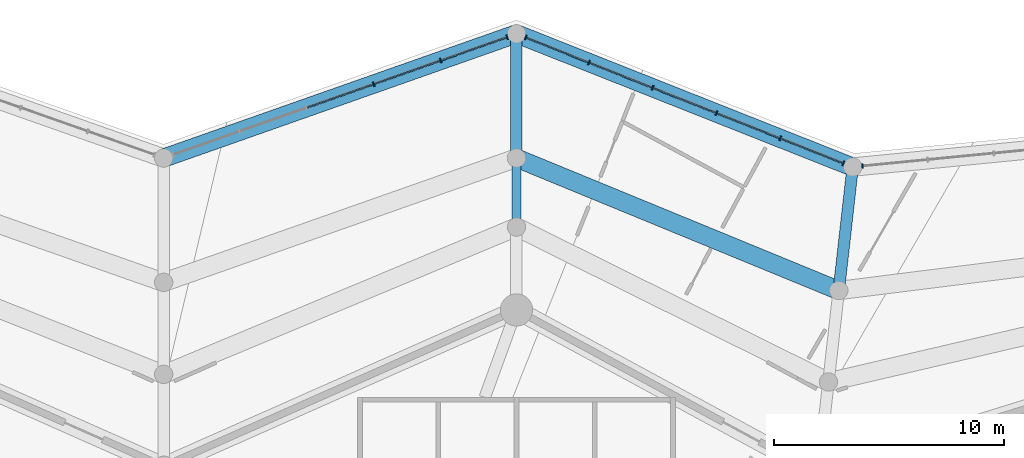
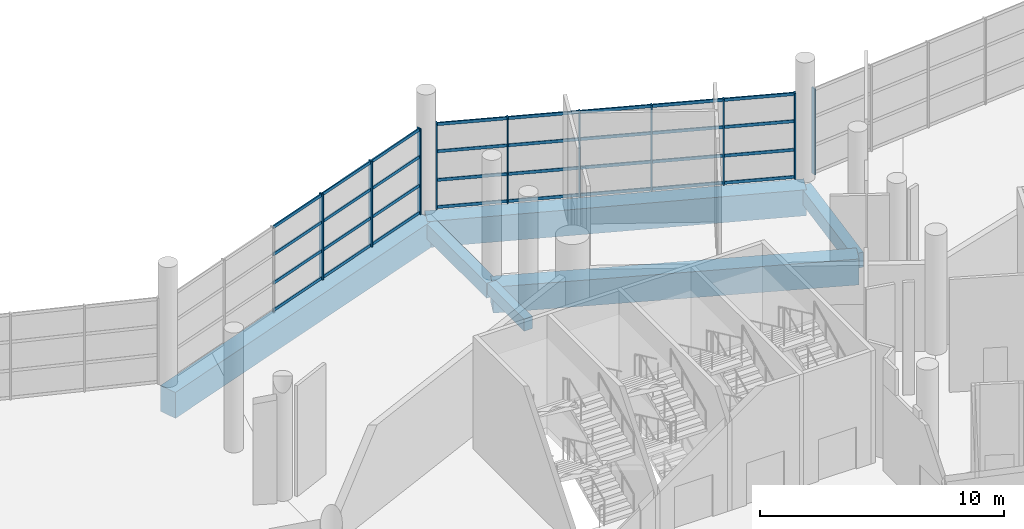
# One storey, part 92 of 249: 42 members, 6 beams, 3 elements without a shape of their own.
"""IFC4 building model written with IfcOpenShell, lengths in metres."""

import ifcopenshell
import ifcopenshell.guid

model = None  # the IFC model being written
_history = None  # IfcOwnerHistory: only IFC2X3 demands one
_inside = {}  # id of a spatial element -> (the spatial element, [elements in it])
_under = {}  # id of a project, library or spatial element -> (it, [spatial elements below it])
_declared = {}  # id of a project -> (the project, [libraries it declares])
_typed = {}  # id of a type object -> (the type object, [elements of that type])
_made_of = {}  # id of a material, layer set ... -> (it, [elements and type objects made of it])


def new_model(schema):
    """Start an empty IFC model of exactly this schema.

    Asked for "IFC4X3", IfcOpenShell would pick the latest addendum, in which some entities
    have other attributes; the version numbers below select the first issue.
    IFC2X3 requires an IfcOwnerHistory on every rooted entity: one is made here for all.
    """
    global model, _history
    if schema == "IFC4X3":
        model = ifcopenshell.file(schema_version=(4, 3, 0, 0))
    else:
        model = ifcopenshell.file(schema=schema)
    _inside.clear()
    _under.clear()
    _declared.clear()
    _typed.clear()
    _made_of.clear()
    _history = None
    if model.schema == "IFC2X3":
        org = make("IfcOrganization", Name="unknown")
        user = make(
            "IfcPersonAndOrganization",
            ThePerson=make("IfcPerson", FamilyName="unknown"),
            TheOrganization=org,
        )
        app = make(
            "IfcApplication",
            ApplicationDeveloper=org,
            Version="unknown",
            ApplicationFullName="unknown",
            ApplicationIdentifier="unknown",
        )
        _history = make(
            "IfcOwnerHistory",
            OwningUser=user,
            OwningApplication=app,
            ChangeAction="ADDED",
            CreationDate=0,
        )
    return model


def make(cls, **values):
    """One entity of the class cls with the attributes given. An attribute that is None is left unset."""
    return model.create_entity(
        cls, **{name: value for name, value in values.items() if value is not None}
    )


def rooted(cls, **values):
    """An entity with a GlobalId (a new one), such as an element, a storey or a relation."""
    return make(cls, GlobalId=ifcopenshell.guid.new(), OwnerHistory=_history, **values)


def si_unit(unit_type, name, prefix=None):
    """IfcSIUnit, for example si_unit("LENGTHUNIT", "METRE", prefix="MILLI")."""
    return make("IfcSIUnit", UnitType=unit_type, Prefix=prefix, Name=name)


def assignment(units):
    """IfcUnitAssignment: the units of a project."""
    return None if units is None else make("IfcUnitAssignment", Units=units)


def point(xyz):
    """IfcCartesianPoint."""
    return None if xyz is None else make("IfcCartesianPoint", Coordinates=xyz)


def direction(xyz):
    """IfcDirection."""
    return None if xyz is None else make("IfcDirection", DirectionRatios=xyz)


def frame(location, z_axis=None, x_axis=None):
    """IfcAxis2Placement3D, a coordinate frame: its origin and axes. An axis left out is left unset."""
    return make(
        "IfcAxis2Placement3D",
        Location=point(location),
        Axis=direction(z_axis),
        RefDirection=direction(x_axis),
    )


def frame_2d(location, x_axis=None):
    """IfcAxis2Placement2D, a coordinate frame in the plane: its origin and x axis."""
    return make(
        "IfcAxis2Placement2D", Location=point(location), RefDirection=direction(x_axis)
    )


def origin():
    """The frame at (0, 0, 0) with its axes left unset."""
    return frame((0.0, 0.0, 0.0))


def origin_2d():
    """The frame at (0, 0) in the plane with its x axis left unset."""
    return frame_2d((0.0, 0.0))


def place(relative_to, where):
    """IfcLocalPlacement: puts the frame where relative to a parent placement (None: the world)."""
    return make(
        "IfcLocalPlacement", PlacementRelTo=relative_to, RelativePlacement=where
    )


def context(
    kind, dimensions, precision=None, world=None, true_north=None, identifier=None
):
    """IfcGeometricRepresentationContext, for example the 3D "Model" context."""
    return make(
        "IfcGeometricRepresentationContext",
        ContextIdentifier=identifier,
        ContextType=kind,
        CoordinateSpaceDimension=dimensions,
        Precision=precision,
        WorldCoordinateSystem=world,
        TrueNorth=true_north,
    )


def subcontext(parent, identifier, kind, view, scale=None):
    """IfcGeometricRepresentationSubContext, for example "Body" below "Model"."""
    return make(
        "IfcGeometricRepresentationSubContext",
        ContextIdentifier=identifier,
        ContextType=kind,
        ParentContext=parent,
        TargetScale=scale,
        TargetView=view,
    )


def project(units=None, contexts=None):
    """IfcProject with its units and contexts."""
    return rooted(
        "IfcProject",
        Name="project",
        RepresentationContexts=contexts,
        UnitsInContext=assignment(units),
    )


def spatial(cls, under=None, at=None, **own):
    """A site, building, storey or space (cls), placed at a placement, below another one or the project."""
    s = rooted(cls, ObjectPlacement=at, **own)
    if under is not None:
        _under.setdefault(under.id(), (under, []))[1].append(s)
    return s


def profile(cls, at=None, kind="AREA", **sizes):
    """A parametric profile (cls). Its sizes go by their IFC names, for example OverallWidth=200.0."""
    return make(cls, ProfileType=kind, Position=at, **sizes)


def rectangle(**sizes):
    """IfcRectangleProfileDef."""
    return profile("IfcRectangleProfileDef", **sizes)


def extrude(swept, where, along, depth):
    """IfcExtrudedAreaSolid: the profile swept, set in the frame where, extruded along a direction by depth."""
    return make(
        "IfcExtrudedAreaSolid",
        SweptArea=swept,
        Position=where,
        ExtrudedDirection=direction(along),
        Depth=depth,
    )


def shape(context_of_items, identifier, shape_type, items):
    """IfcShapeRepresentation: the items that make up one representation, for example the "Body"."""
    return make(
        "IfcShapeRepresentation",
        ContextOfItems=context_of_items,
        RepresentationIdentifier=identifier,
        RepresentationType=shape_type,
        Items=items,
    )


def material(Name=None, Category=None):
    """IfcMaterial."""
    return make("IfcMaterial", Name=Name, Category=Category)


def layer(
    of_material, thickness, ventilated=None, Name=None, Category=None, Priority=None
):
    """IfcMaterialLayer: one layer of a wall or slab, of a material (None: an air gap)."""
    return make(
        "IfcMaterialLayer",
        Material=of_material,
        LayerThickness=thickness,
        IsVentilated=ventilated,
        Name=Name,
        Category=Category,
        Priority=Priority,
    )


def layer_set(layers, Name=None):
    """IfcMaterialLayerSet."""
    return make("IfcMaterialLayerSet", MaterialLayers=layers, LayerSetName=Name)


def material_profile(
    of_material, cross_section, Name=None, Category=None, Priority=None
):
    """IfcMaterialProfile: a cross section and its material."""
    return make(
        "IfcMaterialProfile",
        Name=Name,
        Material=of_material,
        Profile=cross_section,
        Priority=Priority,
        Category=Category,
    )


def profile_set(profiles, Name=None, composite=None):
    """IfcMaterialProfileSet."""
    return make(
        "IfcMaterialProfileSet",
        Name=Name,
        MaterialProfiles=profiles,
        CompositeProfile=composite,
    )


def made_of(thing, what):
    """Note that an element or type object is made of a material, layer set ...; save() writes the relation."""
    if what is not None:
        _made_of.setdefault(what.id(), (what, []))[1].append(thing)
    return thing


def type_object(cls, material=None, **own):
    """A type object (cls), such as IfcWallType, which elements share."""
    return made_of(rooted(cls, **own), material)


def element(
    cls,
    number,
    at=None,
    inside=None,
    cuts=None,
    type_object=None,
    material=None,
    context=None,
    identifier="Body",
    shape_type=None,
    held_by="IfcProductDefinitionShape",
    body=None,
    shapes=None,
    **own,
):
    """One element of the class cls, such as IfcWall. Its Tag is "e" and its number.

    at: its placement. inside: the storey or other place that contains it. cuts: it is an
    opening in that element (IfcRelVoidsElement). A single representation is given by context,
    identifier, shape_type and body (its items); several are given by shapes. held_by: the class
    of the entity that holds the representations. save() writes the other relations.
    """
    e = rooted(cls, Tag="e%d" % number, ObjectPlacement=at, **own)
    if body is not None:
        shapes = [shape(context, identifier, shape_type, body)]
    if shapes is not None:
        e.Representation = make(held_by, Representations=shapes)
    if inside is not None:
        _inside.setdefault(inside.id(), (inside, []))[1].append(e)
    if cuts is not None:
        rooted(
            "IfcRelVoidsElement", RelatingBuildingElement=cuts, RelatedOpeningElement=e
        )
    if type_object is not None:
        _typed.setdefault(type_object.id(), (type_object, []))[1].append(e)
    return made_of(e, material)


def aggregate(whole, parts):
    """IfcRelAggregates: a whole, such as a stair, and the parts it consists of."""
    return rooted("IfcRelAggregates", RelatingObject=whole, RelatedObjects=parts)


def save(model, path):
    """Write the relations noted so far, then the file.

    IfcRelAggregates (storeys below a building ...), IfcRelContainedInSpatialStructure (elements
    in a storey), IfcRelDefinesByType, IfcRelAssociatesMaterial and IfcRelDeclares: one each for
    every whole, place, type object, material and project.
    """
    for whole, parts in _under.values():
        aggregate(whole, parts)
    for where, things in _inside.values():
        rooted(
            "IfcRelContainedInSpatialStructure",
            RelatedElements=things,
            RelatingStructure=where,
        )
    for kind, things in _typed.values():
        rooted("IfcRelDefinesByType", RelatedObjects=things, RelatingType=kind)
    for what, things in _made_of.values():
        rooted("IfcRelAssociatesMaterial", RelatedObjects=things, RelatingMaterial=what)
    for by, libraries in _declared.values():
        rooted("IfcRelDeclares", RelatingContext=by, RelatedDefinitions=libraries)
    model.write(path)


model = new_model("IFC4")

# Units and contexts
model_context = context("Model", 3, precision=1e-05, world=origin(), true_north=direction((0.0, 1.0)))
body_context = subcontext(model_context, "Body", "Model", "MODEL_VIEW")
ifc_project = project(units=[si_unit("LENGTHUNIT", "METRE"), si_unit("AREAUNIT", "SQUARE_METRE"), si_unit("VOLUMEUNIT", "CUBIC_METRE"), si_unit("PLANEANGLEUNIT", "RADIAN"), si_unit("MASSUNIT", "GRAM", prefix="KILO")], contexts=[model_context])

# Site, building, storey
site_placement = place(None, origin())
site = spatial("IfcSite", under=ifc_project, at=site_placement, CompositionType="ELEMENT")
building_placement = place(site_placement, origin())
building = spatial("IfcBuilding", under=site, at=building_placement, Name="Meseta Stadium", CompositionType="ELEMENT")
storey_placement = place(building_placement, frame((0.0, 0.0, 12.0)))
storey = spatial("IfcBuildingStorey", under=building, at=storey_placement, Name="L02", CompositionType="ELEMENT", Elevation=12.0)

# Beams
ifc_material_1 = material(Name="Concrete C40/50", Category="concrete")
ifc_material_profile_1 = material_profile(ifc_material_1, rectangle(XDim=0.39990234375, YDim=0.60009765625, at=origin_2d()), Name="RC 400x600")
ifc_profile_set_1 = profile_set([ifc_material_profile_1], Name="Concrete C40/50")
beam_type_1 = type_object("IfcBeamType", Name="RC beam 400x600", PredefinedType="BEAM", material=ifc_profile_set_1)
beam_1_placement = place(storey_placement, frame((38.333251953125, 109.0, -0.64990234375), z_axis=(0.0, 1.0, 0.0), x_axis=(-1.0, 0.0, 0.0)))
element("IfcBeam", 1, at=beam_1_placement, inside=storey, type_object=beam_type_1, Name="L02 radial beam frame 16 line M to Q", PredefinedType="BEAM", context=body_context, shape_type="SweptSolid", body=[
    extrude(rectangle(XDim=0.39990234375, YDim=0.60009765625, at=origin_2d()), origin(), (0.0, 0.0, 1.0), 3.0),
])
ifc_material_2 = material(Name="Concrete C40/50", Category="concrete")
ifc_material_profile_2 = material_profile(ifc_material_2, rectangle(XDim=0.5, YDim=0.75, at=origin_2d()), Name="RC 500x750")
ifc_profile_set_2 = profile_set([ifc_material_profile_2], Name="Concrete C40/50")
beam_type_2 = type_object("IfcBeamType", Name="RC beam 500x750", PredefinedType="BEAM", material=ifc_profile_set_2)
for number, where, z_axis, x_axis, name in (
    (2, (52.337158203125, 106.244140625, -0.72509765625), (0.111989542172, 0.993709385305, 0.0), (-0.993709385305, 0.111989542172, 0.0), "L02 radial beam frame 15 line Q to O"),
    (3, (38.333251953125, 112.0, -0.72509765625), (0.0, 1.0, 0.0), (-1.0, 0.0, 0.0), "L02 radial beam frame 16 line Q to O"),
):
    element("IfcBeam", number, at=place(storey_placement, frame(where, z_axis=z_axis, x_axis=x_axis)), inside=storey, type_object=beam_type_2, Name=name, PredefinedType="BEAM", context=body_context, shape_type="SweptSolid", body=[
        extrude(rectangle(XDim=0.5, YDim=0.75, at=origin_2d()), origin(), (0.0, 0.0, 1.0), 5.39990234375),
    ])
ifc_material_3 = material(Name="Concrete C40/50", Category="concrete")
ifc_material_profile_3 = material_profile(ifc_material_3, rectangle(XDim=0.800048828125, YDim=1.300048828125, at=origin_2d()), Name="RC 800x1300")
ifc_profile_set_3 = profile_set([ifc_material_profile_3], Name="Concrete C40/50")
beam_type_3 = type_object("IfcBeamType", Name="RC beam 800x1300", PredefinedType="BEAM", material=ifc_profile_set_3)
beam_2_placement = place(storey_placement, frame((52.337158203125, 106.244140625, -1.0), z_axis=(-0.924921023006, 0.380159310293, 0.0), x_axis=(-0.380159310293, -0.924921023006, 0.0)))
element("IfcBeam", 4, at=beam_2_placement, inside=storey, type_object=beam_type_3, Name="L02 ring beam frame 15 line Q", PredefinedType="BEAM", context=body_context, shape_type="SweptSolid", body=[
    extrude(rectangle(XDim=0.800048828125, YDim=1.300048828125, at=origin_2d()), origin(), (0.0, 0.0, 1.0), 15.140625),
])
beam_3_placement = place(storey_placement, frame((52.94189453125, 111.610107421875, -1.0), z_axis=(-0.929649573326, 0.368444935933, 0.0), x_axis=(-0.368444935933, -0.929649573326, 0.0)))
element("IfcBeam", 5, at=beam_3_placement, inside=storey, type_object=beam_type_3, Name="L02 ring beam frame 15 line O", PredefinedType="BEAM", context=body_context, shape_type="SweptSolid", body=[
    extrude(rectangle(XDim=0.800048828125, YDim=1.300048828125, at=origin_2d()), origin(), (0.0, 0.0, 1.0), 15.714111328125),
])
beam_4_placement = place(storey_placement, frame((38.333251953125, 117.39990234375, -1.0), z_axis=(-0.943218573019, -0.332172731439, 0.0), x_axis=(0.332172731439, -0.943218573019, 0.0)))
element("IfcBeam", 6, at=beam_4_placement, inside=storey, type_object=beam_type_3, Name="L02 ring beam frame 16 line O", PredefinedType="BEAM", context=body_context, shape_type="SweptSolid", body=[
    extrude(rectangle(XDim=0.800048828125, YDim=1.300048828125, at=origin_2d()), origin(), (0.0, 0.0, 1.0), 16.25634765625),
])

# Curtain wall, member
ifc_material_4 = material(Name="Aluminium", Category="aluminium")
ifc_layer = layer(ifc_material_4, 0.199951171875)
ifc_layer_set = layer_set([ifc_layer], Name="Ring shopfront curtain wall")
curtain_wall_type = type_object("IfcCurtainWallType", Name="Ring shopfront curtain wall", PredefinedType="NOTDEFINED", material=ifc_layer_set)
curtain_wall_1_placement = place(storey_placement, origin())
curtain_wall_1 = element("IfcCurtainWall", 7, at=curtain_wall_1_placement, inside=storey, type_object=curtain_wall_type, Name="Ring glazing L02 F14", PredefinedType="NOTDEFINED")
ifc_material_5 = material(Name="Aluminium", Category="aluminium")
ifc_material_profile_4 = material_profile(ifc_material_5, rectangle(XDim=0.199951171875, YDim=0.06005859375, at=origin_2d()), Name="CW 200x60")
ifc_profile_set_4 = profile_set([ifc_material_profile_4], Name="Aluminium")
member_type_1 = type_object("IfcMemberType", Name="Ring CW mullion 60x200", PredefinedType="MULLION", material=ifc_profile_set_4)
member_1_placement = place(storey_placement, frame((53.369873046875, 111.65185546875, 0.0), z_axis=(0.0, 0.0, 1.0), x_axis=(0.097124618973, -0.995272228282, 0.0)))
member_1 = element("IfcMember", 8, at=member_1_placement, type_object=member_type_1, Name="CWR1 mullion 6", PredefinedType="MULLION", context=body_context, shape_type="SweptSolid", body=[
    extrude(rectangle(XDim=0.199951171875, YDim=0.06005859375, at=origin_2d()), origin(), (0.0, 0.0, 1.0), 4.300048828125),
])
aggregate(curtain_wall_1, [member_1])

# Curtain wall, members
curtain_wall_2_placement = place(storey_placement, origin())
curtain_wall_2 = element("IfcCurtainWall", 9, at=curtain_wall_2_placement, inside=storey, type_object=curtain_wall_type, Name="Ring glazing L02 F15", PredefinedType="NOTDEFINED")
member_2_placement = place(storey_placement, frame((52.5419921875, 111.7685546875, 0.0), z_axis=(0.0, 0.0, 1.0), x_axis=(-0.368453592088, -0.929646142614, 0.0)))
member_2 = element("IfcMember", 10, at=member_2_placement, type_object=member_type_1, Name="CWR1 mullion 1", PredefinedType="MULLION", context=body_context, shape_type="SweptSolid", body=[
    extrude(rectangle(XDim=0.199951171875, YDim=0.06005859375, at=origin_2d()), origin(), (0.0, 0.0, 1.0), 4.300048828125),
])
member_3_placement = place(storey_placement, frame((49.796875, 112.8564453125, 0.0), z_axis=(0.0, 0.0, 1.0), x_axis=(-0.368453592088, -0.929646142614, 0.0)))
member_3 = element("IfcMember", 11, at=member_3_placement, type_object=member_type_1, Name="CWR1 mullion 2", PredefinedType="MULLION", context=body_context, shape_type="SweptSolid", body=[
    extrude(rectangle(XDim=0.199951171875, YDim=0.06005859375, at=origin_2d()), origin(), (0.0, 0.0, 1.0), 4.300048828125),
])
member_4_placement = place(storey_placement, frame((47.02392578125, 113.95556640625, 0.0), z_axis=(0.0, 0.0, 1.0), x_axis=(-0.368453592088, -0.929646142614, 0.0)))
member_4 = element("IfcMember", 12, at=member_4_placement, type_object=member_type_1, Name="CWR1 mullion 3", PredefinedType="MULLION", context=body_context, shape_type="SweptSolid", body=[
    extrude(rectangle(XDim=0.199951171875, YDim=0.06005859375, at=origin_2d()), origin(), (0.0, 0.0, 1.0), 4.300048828125),
])
member_5_placement = place(storey_placement, frame((44.2509765625, 115.054443359375, 0.0), z_axis=(0.0, 0.0, 1.0), x_axis=(-0.368453592088, -0.929646142614, 0.0)))
member_5 = element("IfcMember", 13, at=member_5_placement, type_object=member_type_1, Name="CWR1 mullion 4", PredefinedType="MULLION", context=body_context, shape_type="SweptSolid", body=[
    extrude(rectangle(XDim=0.199951171875, YDim=0.06005859375, at=origin_2d()), origin(), (0.0, 0.0, 1.0), 4.300048828125),
])
member_6_placement = place(storey_placement, frame((41.47802734375, 116.153564453125, 0.0), z_axis=(0.0, 0.0, 1.0), x_axis=(-0.368453592088, -0.929646142614, 0.0)))
member_6 = element("IfcMember", 14, at=member_6_placement, type_object=member_type_1, Name="CWR1 mullion 5", PredefinedType="MULLION", context=body_context, shape_type="SweptSolid", body=[
    extrude(rectangle(XDim=0.199951171875, YDim=0.06005859375, at=origin_2d()), origin(), (0.0, 0.0, 1.0), 4.300048828125),
])
member_7_placement = place(storey_placement, frame((38.733154296875, 117.241455078125, 0.0), z_axis=(0.0, 0.0, 1.0), x_axis=(-0.368453592088, -0.929646142614, 0.0)))
member_7 = element("IfcMember", 15, at=member_7_placement, type_object=member_type_1, Name="CWR1 mullion 6", PredefinedType="MULLION", context=body_context, shape_type="SweptSolid", body=[
    extrude(rectangle(XDim=0.199951171875, YDim=0.06005859375, at=origin_2d()), origin(), (0.0, 0.0, 1.0), 4.300048828125),
])

curtain_wall_3_placement = place(storey_placement, origin())
curtain_wall_3 = element("IfcCurtainWall", 16, at=curtain_wall_3_placement, inside=storey, type_object=curtain_wall_type, Name="Ring glazing L02 F16", PredefinedType="NOTDEFINED")
member_8_placement = place(storey_placement, frame((37.927734375, 117.257080078125, 0.0), z_axis=(0.0, 0.0, 1.0), x_axis=(0.332174330154, -0.943218009999, 0.0)))
member_8 = element("IfcMember", 17, at=member_8_placement, type_object=member_type_1, Name="CWR1 mullion 1", PredefinedType="MULLION", context=body_context, shape_type="SweptSolid", body=[
    extrude(rectangle(XDim=0.199951171875, YDim=0.06005859375, at=origin_2d()), origin(), (0.0, 0.0, 1.0), 4.300048828125),
])
member_9_placement = place(storey_placement, frame((35.040283203125, 116.240234375, 0.0), z_axis=(0.0, 0.0, 1.0), x_axis=(0.332174330154, -0.943218009999, 0.0)))
member_9 = element("IfcMember", 18, at=member_9_placement, type_object=member_type_1, Name="CWR1 mullion 2", PredefinedType="MULLION", context=body_context, shape_type="SweptSolid", body=[
    extrude(rectangle(XDim=0.199951171875, YDim=0.06005859375, at=origin_2d()), origin(), (0.0, 0.0, 1.0), 4.300048828125),
])
member_10_placement = place(storey_placement, frame((32.12451171875, 115.21337890625, 0.0), z_axis=(0.0, 0.0, 1.0), x_axis=(0.332174330154, -0.943218009999, 0.0)))
member_10 = element("IfcMember", 19, at=member_10_placement, type_object=member_type_1, Name="CWR1 mullion 3", PredefinedType="MULLION", context=body_context, shape_type="SweptSolid", body=[
    extrude(rectangle(XDim=0.199951171875, YDim=0.06005859375, at=origin_2d()), origin(), (0.0, 0.0, 1.0), 4.300048828125),
])

# Member
ifc_material_6 = material(Name="Aluminium", Category="aluminium")
ifc_material_profile_5 = material_profile(ifc_material_6, rectangle(XDim=0.06005859375, YDim=0.14990234375, at=origin_2d()), Name="CW 60x150")
ifc_profile_set_5 = profile_set([ifc_material_profile_5], Name="Aluminium")
member_type_2 = type_object("IfcMemberType", Name="Ring CW transom 60x150", PredefinedType="USERDEFINED", material=ifc_profile_set_5)
member_11_placement = place(storey_placement, frame((52.51416015625, 111.779541015625, 0.074951171875), z_axis=(-0.929636230527, 0.368478600316, 0.0), x_axis=(-0.368478600316, -0.929636230527, 0.0)))
member_11 = element("IfcMember", 20, at=member_11_placement, type_object=member_type_2, Name="CWR1 transom 1.1", ObjectType="TRANSOM", PredefinedType="USERDEFINED", context=body_context, shape_type="SweptSolid", body=[
    extrude(rectangle(XDim=0.06005859375, YDim=0.14990234375, at=origin_2d()), origin(), (0.0, 0.0, 1.0), 2.892822265625),
])

member_12_placement = place(storey_placement, frame((52.51416015625, 111.779541015625, 1.433349609375), z_axis=(-0.929636230527, 0.368478600316, 0.0), x_axis=(-0.368478600316, -0.929636230527, 0.0)))
member_12 = element("IfcMember", 21, at=member_12_placement, type_object=member_type_2, Name="CWR1 transom 1.2", ObjectType="TRANSOM", PredefinedType="USERDEFINED", context=body_context, shape_type="SweptSolid", body=[
    extrude(rectangle(XDim=0.06005859375, YDim=0.14990234375, at=origin_2d()), origin(), (0.0, 0.0, 1.0), 2.892822265625),
])

member_13_placement = place(storey_placement, frame((52.51416015625, 111.779541015625, 2.86669921875), z_axis=(-0.929636230527, 0.368478600316, 0.0), x_axis=(-0.368478600316, -0.929636230527, 0.0)))
member_13 = element("IfcMember", 22, at=member_13_placement, type_object=member_type_2, Name="CWR1 transom 1.3", ObjectType="TRANSOM", PredefinedType="USERDEFINED", context=body_context, shape_type="SweptSolid", body=[
    extrude(rectangle(XDim=0.06005859375, YDim=0.14990234375, at=origin_2d()), origin(), (0.0, 0.0, 1.0), 2.892822265625),
])

member_14_placement = place(storey_placement, frame((52.51416015625, 111.779541015625, 4.22509765625), z_axis=(-0.929636230527, 0.368478600316, 0.0), x_axis=(-0.368478600316, -0.929636230527, 0.0)))
member_14 = element("IfcMember", 23, at=member_14_placement, type_object=member_type_2, Name="CWR1 transom 1.4", ObjectType="TRANSOM", PredefinedType="USERDEFINED", context=body_context, shape_type="SweptSolid", body=[
    extrude(rectangle(XDim=0.06005859375, YDim=0.14990234375, at=origin_2d()), origin(), (0.0, 0.0, 1.0), 2.892822265625),
])

member_15_placement = place(storey_placement, frame((49.76904296875, 112.86767578125, 0.074951171875), z_axis=(-0.929641553255, 0.368465171301, 0.0), x_axis=(-0.368465171301, -0.929641553255, 0.0)))
member_15 = element("IfcMember", 24, at=member_15_placement, type_object=member_type_2, Name="CWR1 transom 2.1", ObjectType="TRANSOM", PredefinedType="USERDEFINED", context=body_context, shape_type="SweptSolid", body=[
    extrude(rectangle(XDim=0.06005859375, YDim=0.14990234375, at=origin_2d()), origin(), (0.0, 0.0, 1.0), 2.922607421875),
])

member_16_placement = place(storey_placement, frame((49.76904296875, 112.86767578125, 1.433349609375), z_axis=(-0.929641553255, 0.368465171301, 0.0), x_axis=(-0.368465171301, -0.929641553255, 0.0)))
member_16 = element("IfcMember", 25, at=member_16_placement, type_object=member_type_2, Name="CWR1 transom 2.2", ObjectType="TRANSOM", PredefinedType="USERDEFINED", context=body_context, shape_type="SweptSolid", body=[
    extrude(rectangle(XDim=0.06005859375, YDim=0.14990234375, at=origin_2d()), origin(), (0.0, 0.0, 1.0), 2.922607421875),
])

member_17_placement = place(storey_placement, frame((49.76904296875, 112.86767578125, 2.86669921875), z_axis=(-0.929641553255, 0.368465171301, 0.0), x_axis=(-0.368465171301, -0.929641553255, 0.0)))
member_17 = element("IfcMember", 26, at=member_17_placement, type_object=member_type_2, Name="CWR1 transom 2.3", ObjectType="TRANSOM", PredefinedType="USERDEFINED", context=body_context, shape_type="SweptSolid", body=[
    extrude(rectangle(XDim=0.06005859375, YDim=0.14990234375, at=origin_2d()), origin(), (0.0, 0.0, 1.0), 2.922607421875),
])

member_18_placement = place(storey_placement, frame((49.76904296875, 112.86767578125, 4.22509765625), z_axis=(-0.929641553255, 0.368465171301, 0.0), x_axis=(-0.368465171301, -0.929641553255, 0.0)))
member_18 = element("IfcMember", 27, at=member_18_placement, type_object=member_type_2, Name="CWR1 transom 2.4", ObjectType="TRANSOM", PredefinedType="USERDEFINED", context=body_context, shape_type="SweptSolid", body=[
    extrude(rectangle(XDim=0.06005859375, YDim=0.14990234375, at=origin_2d()), origin(), (0.0, 0.0, 1.0), 2.922607421875),
])

member_19_placement = place(storey_placement, frame((46.99609375, 113.966552734375, 0.074951171875), z_axis=(-0.929641553255, 0.368465171301, 0.0), x_axis=(-0.368465171301, -0.929641553255, 0.0)))
member_19 = element("IfcMember", 28, at=member_19_placement, type_object=member_type_2, Name="CWR1 transom 3.1", ObjectType="TRANSOM", PredefinedType="USERDEFINED", context=body_context, shape_type="SweptSolid", body=[
    extrude(rectangle(XDim=0.06005859375, YDim=0.14990234375, at=origin_2d()), origin(), (0.0, 0.0, 1.0), 2.922607421875),
])

member_20_placement = place(storey_placement, frame((46.99609375, 113.966552734375, 1.433349609375), z_axis=(-0.929641553255, 0.368465171301, 0.0), x_axis=(-0.368465171301, -0.929641553255, 0.0)))
member_20 = element("IfcMember", 29, at=member_20_placement, type_object=member_type_2, Name="CWR1 transom 3.2", ObjectType="TRANSOM", PredefinedType="USERDEFINED", context=body_context, shape_type="SweptSolid", body=[
    extrude(rectangle(XDim=0.06005859375, YDim=0.14990234375, at=origin_2d()), origin(), (0.0, 0.0, 1.0), 2.922607421875),
])

member_21_placement = place(storey_placement, frame((46.99609375, 113.966552734375, 2.86669921875), z_axis=(-0.929641553255, 0.368465171301, 0.0), x_axis=(-0.368465171301, -0.929641553255, 0.0)))
member_21 = element("IfcMember", 30, at=member_21_placement, type_object=member_type_2, Name="CWR1 transom 3.3", ObjectType="TRANSOM", PredefinedType="USERDEFINED", context=body_context, shape_type="SweptSolid", body=[
    extrude(rectangle(XDim=0.06005859375, YDim=0.14990234375, at=origin_2d()), origin(), (0.0, 0.0, 1.0), 2.922607421875),
])

member_22_placement = place(storey_placement, frame((46.99609375, 113.966552734375, 4.22509765625), z_axis=(-0.929641553255, 0.368465171301, 0.0), x_axis=(-0.368465171301, -0.929641553255, 0.0)))
member_22 = element("IfcMember", 31, at=member_22_placement, type_object=member_type_2, Name="CWR1 transom 3.4", ObjectType="TRANSOM", PredefinedType="USERDEFINED", context=body_context, shape_type="SweptSolid", body=[
    extrude(rectangle(XDim=0.06005859375, YDim=0.14990234375, at=origin_2d()), origin(), (0.0, 0.0, 1.0), 2.922607421875),
])

member_23_placement = place(storey_placement, frame((44.22314453125, 115.065673828125, 0.074951171875), z_axis=(-0.929641553255, 0.368465171301, 0.0), x_axis=(-0.368465171301, -0.929641553255, 0.0)))
member_23 = element("IfcMember", 32, at=member_23_placement, type_object=member_type_2, Name="CWR1 transom 4.1", ObjectType="TRANSOM", PredefinedType="USERDEFINED", context=body_context, shape_type="SweptSolid", body=[
    extrude(rectangle(XDim=0.06005859375, YDim=0.14990234375, at=origin_2d()), origin(), (0.0, 0.0, 1.0), 2.922607421875),
])

member_24_placement = place(storey_placement, frame((44.22314453125, 115.065673828125, 1.433349609375), z_axis=(-0.929641553255, 0.368465171301, 0.0), x_axis=(-0.368465171301, -0.929641553255, 0.0)))
member_24 = element("IfcMember", 33, at=member_24_placement, type_object=member_type_2, Name="CWR1 transom 4.2", ObjectType="TRANSOM", PredefinedType="USERDEFINED", context=body_context, shape_type="SweptSolid", body=[
    extrude(rectangle(XDim=0.06005859375, YDim=0.14990234375, at=origin_2d()), origin(), (0.0, 0.0, 1.0), 2.922607421875),
])

member_25_placement = place(storey_placement, frame((44.22314453125, 115.065673828125, 2.86669921875), z_axis=(-0.929641553255, 0.368465171301, 0.0), x_axis=(-0.368465171301, -0.929641553255, 0.0)))
member_25 = element("IfcMember", 34, at=member_25_placement, type_object=member_type_2, Name="CWR1 transom 4.3", ObjectType="TRANSOM", PredefinedType="USERDEFINED", context=body_context, shape_type="SweptSolid", body=[
    extrude(rectangle(XDim=0.06005859375, YDim=0.14990234375, at=origin_2d()), origin(), (0.0, 0.0, 1.0), 2.922607421875),
])

member_26_placement = place(storey_placement, frame((44.22314453125, 115.065673828125, 4.22509765625), z_axis=(-0.929641553255, 0.368465171301, 0.0), x_axis=(-0.368465171301, -0.929641553255, 0.0)))
member_26 = element("IfcMember", 35, at=member_26_placement, type_object=member_type_2, Name="CWR1 transom 4.4", ObjectType="TRANSOM", PredefinedType="USERDEFINED", context=body_context, shape_type="SweptSolid", body=[
    extrude(rectangle(XDim=0.06005859375, YDim=0.14990234375, at=origin_2d()), origin(), (0.0, 0.0, 1.0), 2.922607421875),
])

member_27_placement = place(storey_placement, frame((41.4501953125, 116.16455078125, 0.074951171875), z_axis=(-0.929636230527, 0.368478600316, 0.0), x_axis=(-0.368478600316, -0.929636230527, 0.0)))
member_27 = element("IfcMember", 36, at=member_27_placement, type_object=member_type_2, Name="CWR1 transom 5.1", ObjectType="TRANSOM", PredefinedType="USERDEFINED", context=body_context, shape_type="SweptSolid", body=[
    extrude(rectangle(XDim=0.06005859375, YDim=0.14990234375, at=origin_2d()), origin(), (0.0, 0.0, 1.0), 2.892822265625),
])

member_28_placement = place(storey_placement, frame((41.4501953125, 116.16455078125, 1.433349609375), z_axis=(-0.929636230527, 0.368478600316, 0.0), x_axis=(-0.368478600316, -0.929636230527, 0.0)))
member_28 = element("IfcMember", 37, at=member_28_placement, type_object=member_type_2, Name="CWR1 transom 5.2", ObjectType="TRANSOM", PredefinedType="USERDEFINED", context=body_context, shape_type="SweptSolid", body=[
    extrude(rectangle(XDim=0.06005859375, YDim=0.14990234375, at=origin_2d()), origin(), (0.0, 0.0, 1.0), 2.892822265625),
])

member_29_placement = place(storey_placement, frame((41.4501953125, 116.16455078125, 2.86669921875), z_axis=(-0.929636230527, 0.368478600316, 0.0), x_axis=(-0.368478600316, -0.929636230527, 0.0)))
member_29 = element("IfcMember", 38, at=member_29_placement, type_object=member_type_2, Name="CWR1 transom 5.3", ObjectType="TRANSOM", PredefinedType="USERDEFINED", context=body_context, shape_type="SweptSolid", body=[
    extrude(rectangle(XDim=0.06005859375, YDim=0.14990234375, at=origin_2d()), origin(), (0.0, 0.0, 1.0), 2.892822265625),
])

member_30_placement = place(storey_placement, frame((41.4501953125, 116.16455078125, 4.22509765625), z_axis=(-0.929636230527, 0.368478600316, 0.0), x_axis=(-0.368478600316, -0.929636230527, 0.0)))
member_30 = element("IfcMember", 39, at=member_30_placement, type_object=member_type_2, Name="CWR1 transom 5.4", ObjectType="TRANSOM", PredefinedType="USERDEFINED", context=body_context, shape_type="SweptSolid", body=[
    extrude(rectangle(XDim=0.06005859375, YDim=0.14990234375, at=origin_2d()), origin(), (0.0, 0.0, 1.0), 2.892822265625),
])

aggregate(curtain_wall_2, [member_2, member_3, member_4, member_5, member_6, member_7, member_11, member_12, member_13, member_14, member_15, member_16, member_17, member_18, member_19, member_20, member_21, member_22, member_23, member_24, member_25, member_26, member_27, member_28, member_29, member_30])

member_31_placement = place(storey_placement, frame((37.8994140625, 117.2470703125, 0.074951171875), z_axis=(-0.943228878245, -0.332143467863, 0.0), x_axis=(0.332143467863, -0.943228878245, 0.0)))
member_31 = element("IfcMember", 40, at=member_31_placement, type_object=member_type_2, Name="CWR1 transom 1.1", ObjectType="TRANSOM", PredefinedType="USERDEFINED", context=body_context, shape_type="SweptSolid", body=[
    extrude(rectangle(XDim=0.06005859375, YDim=0.14990234375, at=origin_2d()), origin(), (0.0, 0.0, 1.0), 3.001220703125),
])

member_32_placement = place(storey_placement, frame((37.8994140625, 117.2470703125, 1.433349609375), z_axis=(-0.943228878245, -0.332143467863, 0.0), x_axis=(0.332143467863, -0.943228878245, 0.0)))
member_32 = element("IfcMember", 41, at=member_32_placement, type_object=member_type_2, Name="CWR1 transom 1.2", ObjectType="TRANSOM", PredefinedType="USERDEFINED", context=body_context, shape_type="SweptSolid", body=[
    extrude(rectangle(XDim=0.06005859375, YDim=0.14990234375, at=origin_2d()), origin(), (0.0, 0.0, 1.0), 3.001220703125),
])

member_33_placement = place(storey_placement, frame((37.8994140625, 117.2470703125, 2.86669921875), z_axis=(-0.943228878245, -0.332143467863, 0.0), x_axis=(0.332143467863, -0.943228878245, 0.0)))
member_33 = element("IfcMember", 42, at=member_33_placement, type_object=member_type_2, Name="CWR1 transom 1.3", ObjectType="TRANSOM", PredefinedType="USERDEFINED", context=body_context, shape_type="SweptSolid", body=[
    extrude(rectangle(XDim=0.06005859375, YDim=0.14990234375, at=origin_2d()), origin(), (0.0, 0.0, 1.0), 3.001220703125),
])

member_34_placement = place(storey_placement, frame((37.8994140625, 117.2470703125, 4.22509765625), z_axis=(-0.943228878245, -0.332143467863, 0.0), x_axis=(0.332143467863, -0.943228878245, 0.0)))
member_34 = element("IfcMember", 43, at=member_34_placement, type_object=member_type_2, Name="CWR1 transom 1.4", ObjectType="TRANSOM", PredefinedType="USERDEFINED", context=body_context, shape_type="SweptSolid", body=[
    extrude(rectangle(XDim=0.06005859375, YDim=0.14990234375, at=origin_2d()), origin(), (0.0, 0.0, 1.0), 3.001220703125),
])

member_35_placement = place(storey_placement, frame((35.011962890625, 116.230224609375, 0.074951171875), z_axis=(-0.943225032885, -0.332154387808, 0.0), x_axis=(0.332154387808, -0.943225032885, 0.0)))
member_35 = element("IfcMember", 44, at=member_35_placement, type_object=member_type_2, Name="CWR1 transom 2.1", ObjectType="TRANSOM", PredefinedType="USERDEFINED", context=body_context, shape_type="SweptSolid", body=[
    extrude(rectangle(XDim=0.06005859375, YDim=0.14990234375, at=origin_2d()), origin(), (0.0, 0.0, 1.0), 3.03125),
])

member_36_placement = place(storey_placement, frame((35.011962890625, 116.230224609375, 1.433349609375), z_axis=(-0.943225032885, -0.332154387808, 0.0), x_axis=(0.332154387808, -0.943225032885, 0.0)))
member_36 = element("IfcMember", 45, at=member_36_placement, type_object=member_type_2, Name="CWR1 transom 2.2", ObjectType="TRANSOM", PredefinedType="USERDEFINED", context=body_context, shape_type="SweptSolid", body=[
    extrude(rectangle(XDim=0.06005859375, YDim=0.14990234375, at=origin_2d()), origin(), (0.0, 0.0, 1.0), 3.03125),
])

member_37_placement = place(storey_placement, frame((35.011962890625, 116.230224609375, 2.86669921875), z_axis=(-0.943225032885, -0.332154387808, 0.0), x_axis=(0.332154387808, -0.943225032885, 0.0)))
member_37 = element("IfcMember", 46, at=member_37_placement, type_object=member_type_2, Name="CWR1 transom 2.3", ObjectType="TRANSOM", PredefinedType="USERDEFINED", context=body_context, shape_type="SweptSolid", body=[
    extrude(rectangle(XDim=0.06005859375, YDim=0.14990234375, at=origin_2d()), origin(), (0.0, 0.0, 1.0), 3.03125),
])

member_38_placement = place(storey_placement, frame((35.011962890625, 116.230224609375, 4.22509765625), z_axis=(-0.943225032885, -0.332154387808, 0.0), x_axis=(0.332154387808, -0.943225032885, 0.0)))
member_38 = element("IfcMember", 47, at=member_38_placement, type_object=member_type_2, Name="CWR1 transom 2.4", ObjectType="TRANSOM", PredefinedType="USERDEFINED", context=body_context, shape_type="SweptSolid", body=[
    extrude(rectangle(XDim=0.06005859375, YDim=0.14990234375, at=origin_2d()), origin(), (0.0, 0.0, 1.0), 3.03125),
])

member_39_placement = place(storey_placement, frame((32.09619140625, 115.203369140625, 0.074951171875), z_axis=(-0.943225032885, -0.332154387808, 0.0), x_axis=(0.332154387808, -0.943225032885, 0.0)))
member_39 = element("IfcMember", 48, at=member_39_placement, type_object=member_type_2, Name="CWR1 transom 3.1", ObjectType="TRANSOM", PredefinedType="USERDEFINED", context=body_context, shape_type="SweptSolid", body=[
    extrude(rectangle(XDim=0.06005859375, YDim=0.14990234375, at=origin_2d()), origin(), (0.0, 0.0, 1.0), 3.03125),
])

member_40_placement = place(storey_placement, frame((32.09619140625, 115.203369140625, 1.433349609375), z_axis=(-0.943225032885, -0.332154387808, 0.0), x_axis=(0.332154387808, -0.943225032885, 0.0)))
member_40 = element("IfcMember", 49, at=member_40_placement, type_object=member_type_2, Name="CWR1 transom 3.2", ObjectType="TRANSOM", PredefinedType="USERDEFINED", context=body_context, shape_type="SweptSolid", body=[
    extrude(rectangle(XDim=0.06005859375, YDim=0.14990234375, at=origin_2d()), origin(), (0.0, 0.0, 1.0), 3.03125),
])

member_41_placement = place(storey_placement, frame((32.09619140625, 115.203369140625, 2.86669921875), z_axis=(-0.943225032885, -0.332154387808, 0.0), x_axis=(0.332154387808, -0.943225032885, 0.0)))
member_41 = element("IfcMember", 50, at=member_41_placement, type_object=member_type_2, Name="CWR1 transom 3.3", ObjectType="TRANSOM", PredefinedType="USERDEFINED", context=body_context, shape_type="SweptSolid", body=[
    extrude(rectangle(XDim=0.06005859375, YDim=0.14990234375, at=origin_2d()), origin(), (0.0, 0.0, 1.0), 3.03125),
])

member_42_placement = place(storey_placement, frame((32.09619140625, 115.203369140625, 4.22509765625), z_axis=(-0.943225032885, -0.332154387808, 0.0), x_axis=(0.332154387808, -0.943225032885, 0.0)))
member_42 = element("IfcMember", 51, at=member_42_placement, type_object=member_type_2, Name="CWR1 transom 3.4", ObjectType="TRANSOM", PredefinedType="USERDEFINED", context=body_context, shape_type="SweptSolid", body=[
    extrude(rectangle(XDim=0.06005859375, YDim=0.14990234375, at=origin_2d()), origin(), (0.0, 0.0, 1.0), 3.03125),
])

aggregate(curtain_wall_3, [member_8, member_9, member_10, member_31, member_32, member_33, member_34, member_35, member_36, member_37, member_38, member_39, member_40, member_41, member_42])

save(model, "model.ifc")
